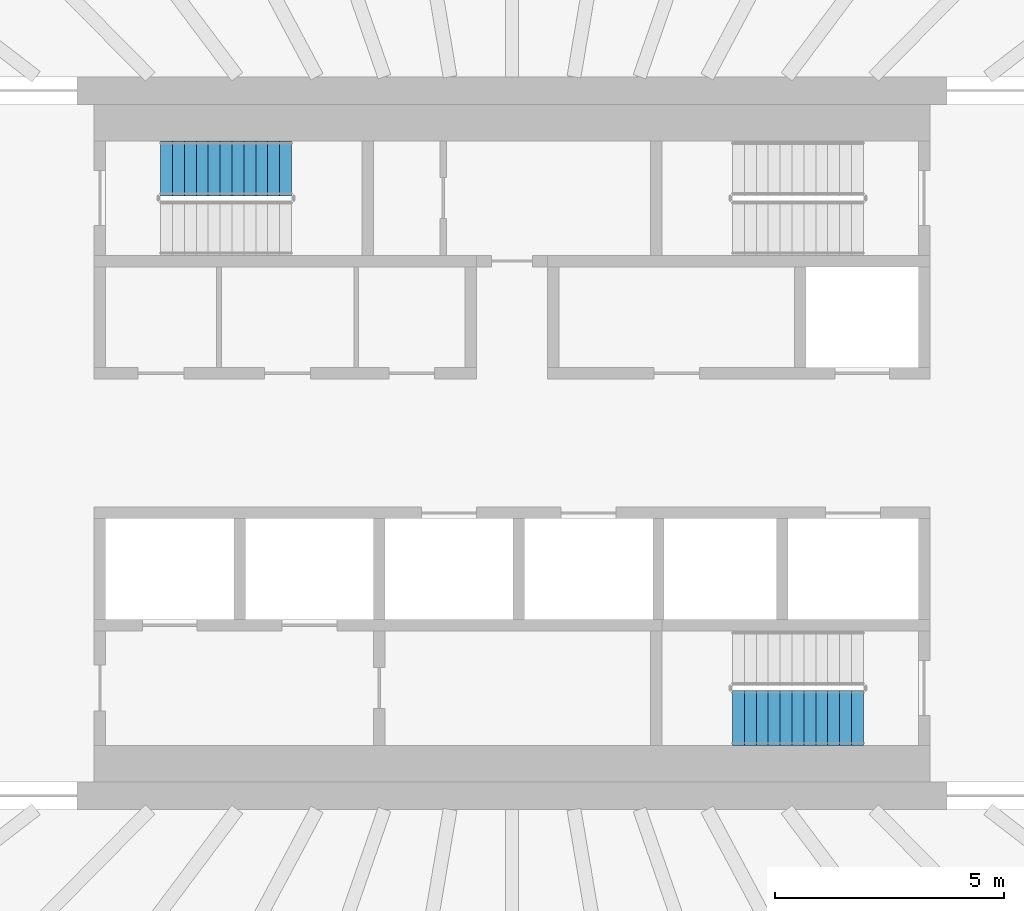
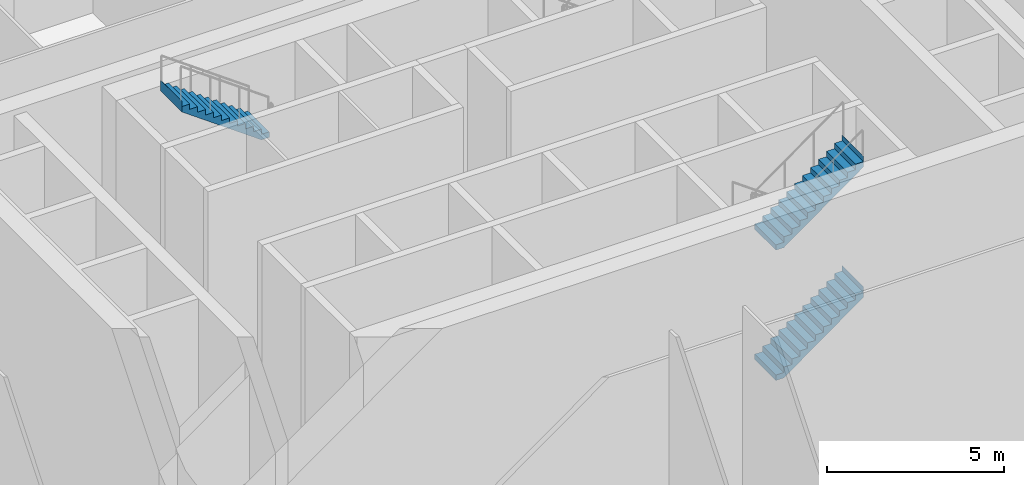
# One storey, part 20 of 35: 3 stair flights, 2 elements without a shape of their own.
"""IFC4 building model written with IfcOpenShell, lengths in metres."""

from ifc_helpers import new_model, si_unit, direction, frame, origin, place, context, subcontext, project, spatial, triangles, material, type_object, element, aggregate, save


model = new_model("IFC4")

# Units and contexts
model_context = context("Model", 3, precision=1e-05, world=origin(), true_north=direction((0.0, 1.0)))
body_context = subcontext(model_context, "Body", "Model", "MODEL_VIEW")
ifc_project = project(units=[si_unit("LENGTHUNIT", "METRE"), si_unit("AREAUNIT", "SQUARE_METRE"), si_unit("VOLUMEUNIT", "CUBIC_METRE"), si_unit("PLANEANGLEUNIT", "RADIAN"), si_unit("MASSUNIT", "GRAM", prefix="KILO")], contexts=[model_context])

# Site, building, storey
site_placement = place(None, origin())
site = spatial("IfcSite", under=ifc_project, at=site_placement, CompositionType="ELEMENT")
building_placement = place(site_placement, origin())
building = spatial("IfcBuilding", under=site, at=building_placement, Name="Sahrelin Media Tower", CompositionType="ELEMENT")
storey_placement = place(building_placement, frame((0.0, 0.0, 17.0)))
storey = spatial("IfcBuildingStorey", under=building, at=storey_placement, Name="L02", CompositionType="ELEMENT", Elevation=17.0)

# Stair, stair flight
ifc_material = material(Name="Concrete C40/50", Category="concrete")
stair_type = type_object("IfcStairType", Name="Exit stair 1200", PredefinedType="HALF_TURN_STAIR", material=ifc_material)
placement = place(storey_placement, origin())
stair_1 = element("IfcStair", 1, at=placement, inside=storey, type_object=stair_type, Name="L02 Exit stair ST1", PredefinedType="HALF_TURN_STAIR")
stair_flight_type = type_object("IfcStairFlightType", Name="Stair flight 1200", PredefinedType="STRAIGHT", material=ifc_material)
stair_flight_1_placement = place(storey_placement, frame((-4.81494140625, 6.0, 6.75), z_axis=(0.0, 0.0, 1.0), x_axis=(-1.0, 0.0, 0.0)))
stair_flight_1 = element("IfcStairFlight", 2, at=stair_flight_1_placement, type_object=stair_flight_type, Name="ST1 flight 4", NumberOfRisers=12, NumberOfTreads=11, PredefinedType="STRAIGHT", RiserHeight=0.1875, TreadLength=0.26, context=body_context, shape_type="Tessellation", body=[
    triangles([(0.25634765625, 0.60009765625, 0.0), (0.25634765625, 0.300048828125, 0.0), (0.25634765625, 0.0, 0.0), (0.25634765625, -0.300048828125, 0.0), (0.25634765625, -0.60009765625, 0.0), (2.860107421875, 0.60009765625, 1.877685546875), (2.860107421875, 0.300048828125, 1.877685546875), (2.860107421875, 0.0, 1.877685546875), (2.860107421875, -0.300048828125, 1.877685546875), (2.860107421875, -0.60009765625, 1.877685546875), (2.860107421875, 0.60009765625, 2.25), (2.860107421875, 0.300048828125, 2.25), (2.860107421875, 0.0, 2.25), (2.860107421875, -0.300048828125, 2.25), (2.860107421875, -0.60009765625, 2.25), (2.85791015625, 0.60009765625, 2.25), (2.85791015625, 0.300048828125, 2.25), (2.85791015625, 0.0, 2.25), (2.85791015625, -0.300048828125, 2.25), (2.85791015625, -0.60009765625, 2.25), (2.85791015625, 0.60009765625, 2.0625), (2.85791015625, 0.300048828125, 2.0625), (2.85791015625, 0.0, 2.0625), (2.85791015625, -0.300048828125, 2.0625), (2.85791015625, -0.60009765625, 2.0625), (2.60009765625, 0.60009765625, 2.0625), (2.60009765625, 0.300048828125, 2.0625), (2.60009765625, 0.0, 2.0625), (2.60009765625, -0.300048828125, 2.0625), (2.60009765625, -0.60009765625, 2.0625), (2.60009765625, 0.60009765625, 1.875), (2.60009765625, 0.300048828125, 1.875), (2.60009765625, 0.0, 1.875), (2.60009765625, -0.300048828125, 1.875), (2.60009765625, -0.60009765625, 1.875), (2.340087890625, 0.60009765625, 1.875), (2.340087890625, 0.300048828125, 1.875), (2.340087890625, 0.0, 1.875), (2.340087890625, -0.300048828125, 1.875), (2.340087890625, -0.60009765625, 1.875), (2.340087890625, 0.60009765625, 1.6875), (2.340087890625, 0.300048828125, 1.6875), (2.340087890625, 0.0, 1.6875), (2.340087890625, -0.300048828125, 1.6875), (2.340087890625, -0.60009765625, 1.6875), (2.080078125, 0.60009765625, 1.6875), (2.080078125, 0.300048828125, 1.6875), (2.080078125, 0.0, 1.6875), (2.080078125, -0.300048828125, 1.6875), (2.080078125, -0.60009765625, 1.6875), (2.080078125, 0.60009765625, 1.5), (2.080078125, 0.300048828125, 1.5), (2.080078125, 0.0, 1.5), (2.080078125, -0.300048828125, 1.5), (2.080078125, -0.60009765625, 1.5), (1.820068359375, 0.60009765625, 1.5), (1.820068359375, 0.300048828125, 1.5), (1.820068359375, 0.0, 1.5), (1.820068359375, -0.300048828125, 1.5), (1.820068359375, -0.60009765625, 1.5), (1.820068359375, 0.60009765625, 1.3125), (1.820068359375, 0.300048828125, 1.3125), (1.820068359375, 0.0, 1.3125), (1.820068359375, -0.300048828125, 1.3125), (1.820068359375, -0.60009765625, 1.3125), (1.56005859375, 0.60009765625, 1.3125), (1.56005859375, 0.300048828125, 1.3125), (1.56005859375, 0.0, 1.3125), (1.56005859375, -0.300048828125, 1.3125), (1.56005859375, -0.60009765625, 1.3125), (1.56005859375, 0.60009765625, 1.125), (1.56005859375, 0.300048828125, 1.125), (1.56005859375, 0.0, 1.125), (1.56005859375, -0.300048828125, 1.125), (1.56005859375, -0.60009765625, 1.125), (1.300048828125, 0.60009765625, 1.125), (1.300048828125, 0.300048828125, 1.125), (1.300048828125, 0.0, 1.125), (1.300048828125, -0.300048828125, 1.125), (1.300048828125, -0.60009765625, 1.125), (1.300048828125, 0.60009765625, 0.9375), (1.300048828125, 0.300048828125, 0.9375), (1.300048828125, 0.0, 0.9375), (1.300048828125, -0.300048828125, 0.9375), (1.300048828125, -0.60009765625, 0.9375), (1.0400390625, 0.60009765625, 0.9375), (1.0400390625, 0.300048828125, 0.9375), (1.0400390625, 0.0, 0.9375), (1.0400390625, -0.300048828125, 0.9375), (1.0400390625, -0.60009765625, 0.9375), (1.0400390625, 0.60009765625, 0.75), (1.0400390625, 0.300048828125, 0.75), (1.0400390625, 0.0, 0.75), (1.0400390625, -0.300048828125, 0.75), (1.0400390625, -0.60009765625, 0.75), (0.780029296875, 0.60009765625, 0.75), (0.780029296875, 0.300048828125, 0.75), (0.780029296875, 0.0, 0.75), (0.780029296875, -0.300048828125, 0.75), (0.780029296875, -0.60009765625, 0.75), (0.780029296875, 0.60009765625, 0.5625), (0.780029296875, 0.300048828125, 0.5625), (0.780029296875, 0.0, 0.5625), (0.780029296875, -0.300048828125, 0.5625), (0.780029296875, -0.60009765625, 0.5625), (0.52001953125, 0.60009765625, 0.5625), (0.52001953125, 0.300048828125, 0.5625), (0.52001953125, 0.0, 0.5625), (0.52001953125, -0.300048828125, 0.5625), (0.52001953125, -0.60009765625, 0.5625), (0.52001953125, 0.60009765625, 0.375), (0.52001953125, 0.300048828125, 0.375), (0.52001953125, 0.0, 0.375), (0.52001953125, -0.300048828125, 0.375), (0.52001953125, -0.60009765625, 0.375), (0.260009765625, 0.60009765625, 0.375), (0.260009765625, 0.300048828125, 0.375), (0.260009765625, 0.0, 0.375), (0.260009765625, -0.300048828125, 0.375), (0.260009765625, -0.60009765625, 0.375), (0.260009765625, 0.60009765625, 0.1875), (0.260009765625, 0.300048828125, 0.1875), (0.260009765625, 0.0, 0.1875), (0.260009765625, -0.300048828125, 0.1875), (0.260009765625, -0.60009765625, 0.1875), (0.0, 0.60009765625, 0.1875), (0.0, 0.300048828125, 0.1875), (0.0, 0.0, 0.1875), (0.0, -0.300048828125, 0.1875), (0.0, -0.60009765625, 0.1875), (0.0, 0.60009765625, 0.0), (0.0, 0.300048828125, 0.0), (0.0, 0.0, 0.0), (0.0, -0.300048828125, 0.0), (0.0, -0.60009765625, 0.0)], [[1, 6, 7], [1, 7, 2], [2, 7, 8], [2, 8, 3], [3, 8, 9], [3, 9, 4], [4, 9, 10], [4, 10, 5], [6, 11, 12], [6, 12, 7], [7, 12, 13], [7, 13, 8], [8, 13, 14], [8, 14, 9], [9, 14, 15], [9, 15, 10], [11, 16, 17], [11, 17, 12], [12, 17, 18], [12, 18, 13], [13, 18, 19], [13, 19, 14], [14, 19, 20], [14, 20, 15], [16, 21, 22], [16, 22, 17], [17, 22, 23], [17, 23, 18], [18, 23, 24], [18, 24, 19], [19, 24, 25], [19, 25, 20], [21, 26, 27], [21, 27, 22], [22, 27, 28], [22, 28, 23], [23, 28, 29], [23, 29, 24], [24, 29, 30], [24, 30, 25], [26, 31, 32], [26, 32, 27], [27, 32, 33], [27, 33, 28], [28, 33, 34], [28, 34, 29], [29, 34, 35], [29, 35, 30], [31, 36, 37], [31, 37, 32], [32, 37, 38], [32, 38, 33], [33, 38, 39], [33, 39, 34], [34, 39, 40], [34, 40, 35], [36, 41, 42], [36, 42, 37], [37, 42, 43], [37, 43, 38], [38, 43, 44], [38, 44, 39], [39, 44, 45], [39, 45, 40], [41, 46, 47], [41, 47, 42], [42, 47, 48], [42, 48, 43], [43, 48, 49], [43, 49, 44], [44, 49, 50], [44, 50, 45], [46, 51, 52], [46, 52, 47], [47, 52, 53], [47, 53, 48], [48, 53, 54], [48, 54, 49], [49, 54, 55], [49, 55, 50], [51, 56, 57], [51, 57, 52], [52, 57, 58], [52, 58, 53], [53, 58, 59], [53, 59, 54], [54, 59, 60], [54, 60, 55], [56, 61, 62], [56, 62, 57], [57, 62, 63], [57, 63, 58], [58, 63, 64], [58, 64, 59], [59, 64, 65], [59, 65, 60], [61, 66, 67], [61, 67, 62], [62, 67, 68], [62, 68, 63], [63, 68, 69], [63, 69, 64], [64, 69, 70], [64, 70, 65], [66, 71, 72], [66, 72, 67], [67, 72, 73], [67, 73, 68], [68, 73, 74], [68, 74, 69], [69, 74, 75], [69, 75, 70], [71, 76, 77], [71, 77, 72], [72, 77, 78], [72, 78, 73], [73, 78, 79], [73, 79, 74], [74, 79, 80], [74, 80, 75], [76, 81, 82], [76, 82, 77], [77, 82, 83], [77, 83, 78], [78, 83, 84], [78, 84, 79], [79, 84, 85], [79, 85, 80], [81, 86, 87], [81, 87, 82], [82, 87, 88], [82, 88, 83], [83, 88, 89], [83, 89, 84], [84, 89, 90], [84, 90, 85], [86, 91, 92], [86, 92, 87], [87, 92, 93], [87, 93, 88], [88, 93, 94], [88, 94, 89], [89, 94, 95], [89, 95, 90], [91, 96, 97], [91, 97, 92], [92, 97, 98], [92, 98, 93], [93, 98, 99], [93, 99, 94], [94, 99, 100], [94, 100, 95], [96, 101, 102], [96, 102, 97], [97, 102, 103], [97, 103, 98], [98, 103, 104], [98, 104, 99], [99, 104, 105], [99, 105, 100], [101, 106, 107], [101, 107, 102], [102, 107, 108], [102, 108, 103], [103, 108, 109], [103, 109, 104], [104, 109, 110], [104, 110, 105], [106, 111, 112], [106, 112, 107], [107, 112, 113], [107, 113, 108], [108, 113, 114], [108, 114, 109], [109, 114, 115], [109, 115, 110], [111, 116, 117], [111, 117, 112], [112, 117, 118], [112, 118, 113], [113, 118, 119], [113, 119, 114], [114, 119, 120], [114, 120, 115], [116, 121, 122], [116, 122, 117], [117, 122, 123], [117, 123, 118], [118, 123, 124], [118, 124, 119], [119, 124, 125], [119, 125, 120], [121, 126, 127], [121, 127, 122], [122, 127, 128], [122, 128, 123], [123, 128, 129], [123, 129, 124], [124, 129, 130], [124, 130, 125], [126, 131, 132], [126, 132, 127], [127, 132, 133], [127, 133, 128], [128, 133, 134], [128, 134, 129], [129, 134, 135], [129, 135, 130], [131, 1, 2], [131, 2, 132], [132, 2, 3], [132, 3, 133], [133, 3, 4], [133, 4, 134], [134, 4, 5], [134, 5, 135], [5, 130, 135], [1, 131, 126], [125, 115, 120], [121, 116, 111], [115, 105, 110], [111, 106, 101], [105, 95, 100], [101, 96, 91], [95, 85, 90], [91, 86, 81], [85, 75, 80], [81, 76, 71], [75, 65, 70], [71, 66, 61], [65, 55, 60], [61, 56, 51], [55, 45, 50], [51, 46, 41], [45, 35, 40], [41, 36, 31], [35, 25, 30], [31, 26, 21], [25, 15, 20], [21, 16, 11], [5, 125, 130], [1, 126, 121], [10, 35, 45], [6, 41, 31], [25, 10, 15], [21, 11, 6], [115, 125, 5], [111, 1, 121], [35, 10, 25], [31, 21, 6], [105, 115, 5], [101, 1, 111], [45, 55, 10], [41, 6, 51], [95, 105, 5], [91, 1, 101], [65, 10, 55], [61, 51, 6], [85, 95, 5], [81, 1, 91], [75, 10, 65], [71, 61, 6], [75, 85, 5], [71, 1, 81], [5, 10, 75], [1, 71, 6]], closed=True),
])
aggregate(stair_1, [stair_flight_1])

# Stair, stair flights
stair_2 = element("IfcStair", 3, at=placement, inside=storey, type_object=stair_type, Name="L02 Exit stair ST2", PredefinedType="HALF_TURN_STAIR")
stair_flight_2_placement = place(storey_placement, frame((4.81494140625, -6.0, 2.25), z_axis=(0.0, 0.0, 1.0), x_axis=(1.0, 0.0, 0.0)))
stair_flight_2 = element("IfcStairFlight", 4, at=stair_flight_2_placement, type_object=stair_flight_type, Name="ST2 flight 2", NumberOfRisers=12, NumberOfTreads=11, PredefinedType="STRAIGHT", RiserHeight=0.1875, TreadLength=0.26, context=body_context, shape_type="Tessellation", body=[
    triangles([(0.25634765625, 0.60009765625, 0.0), (0.25634765625, 0.300048828125, 0.0), (0.25634765625, 0.0, 0.0), (0.25634765625, -0.300048828125, 0.0), (0.25634765625, -0.60009765625, 0.0), (2.860107421875, 0.60009765625, 1.877685546875), (2.860107421875, 0.300048828125, 1.877685546875), (2.860107421875, 0.0, 1.877685546875), (2.860107421875, -0.300048828125, 1.877685546875), (2.860107421875, -0.60009765625, 1.877685546875), (2.860107421875, 0.60009765625, 2.25), (2.860107421875, 0.300048828125, 2.25), (2.860107421875, 0.0, 2.25), (2.860107421875, -0.300048828125, 2.25), (2.860107421875, -0.60009765625, 2.25), (2.85791015625, 0.60009765625, 2.25), (2.85791015625, 0.300048828125, 2.25), (2.85791015625, 0.0, 2.25), (2.85791015625, -0.300048828125, 2.25), (2.85791015625, -0.60009765625, 2.25), (2.85791015625, 0.60009765625, 2.0625), (2.85791015625, 0.300048828125, 2.0625), (2.85791015625, 0.0, 2.0625), (2.85791015625, -0.300048828125, 2.0625), (2.85791015625, -0.60009765625, 2.0625), (2.60009765625, 0.60009765625, 2.0625), (2.60009765625, 0.300048828125, 2.0625), (2.60009765625, 0.0, 2.0625), (2.60009765625, -0.300048828125, 2.0625), (2.60009765625, -0.60009765625, 2.0625), (2.60009765625, 0.60009765625, 1.875), (2.60009765625, 0.300048828125, 1.875), (2.60009765625, 0.0, 1.875), (2.60009765625, -0.300048828125, 1.875), (2.60009765625, -0.60009765625, 1.875), (2.340087890625, 0.60009765625, 1.875), (2.340087890625, 0.300048828125, 1.875), (2.340087890625, 0.0, 1.875), (2.340087890625, -0.300048828125, 1.875), (2.340087890625, -0.60009765625, 1.875), (2.340087890625, 0.60009765625, 1.6875), (2.340087890625, 0.300048828125, 1.6875), (2.340087890625, 0.0, 1.6875), (2.340087890625, -0.300048828125, 1.6875), (2.340087890625, -0.60009765625, 1.6875), (2.080078125, 0.60009765625, 1.6875), (2.080078125, 0.300048828125, 1.6875), (2.080078125, 0.0, 1.6875), (2.080078125, -0.300048828125, 1.6875), (2.080078125, -0.60009765625, 1.6875), (2.080078125, 0.60009765625, 1.5), (2.080078125, 0.300048828125, 1.5), (2.080078125, 0.0, 1.5), (2.080078125, -0.300048828125, 1.5), (2.080078125, -0.60009765625, 1.5), (1.820068359375, 0.60009765625, 1.5), (1.820068359375, 0.300048828125, 1.5), (1.820068359375, 0.0, 1.5), (1.820068359375, -0.300048828125, 1.5), (1.820068359375, -0.60009765625, 1.5), (1.820068359375, 0.60009765625, 1.3125), (1.820068359375, 0.300048828125, 1.3125), (1.820068359375, 0.0, 1.3125), (1.820068359375, -0.300048828125, 1.3125), (1.820068359375, -0.60009765625, 1.3125), (1.56005859375, 0.60009765625, 1.3125), (1.56005859375, 0.300048828125, 1.3125), (1.56005859375, 0.0, 1.3125), (1.56005859375, -0.300048828125, 1.3125), (1.56005859375, -0.60009765625, 1.3125), (1.56005859375, 0.60009765625, 1.125), (1.56005859375, 0.300048828125, 1.125), (1.56005859375, 0.0, 1.125), (1.56005859375, -0.300048828125, 1.125), (1.56005859375, -0.60009765625, 1.125), (1.300048828125, 0.60009765625, 1.125), (1.300048828125, 0.300048828125, 1.125), (1.300048828125, 0.0, 1.125), (1.300048828125, -0.300048828125, 1.125), (1.300048828125, -0.60009765625, 1.125), (1.300048828125, 0.60009765625, 0.9375), (1.300048828125, 0.300048828125, 0.9375), (1.300048828125, 0.0, 0.9375), (1.300048828125, -0.300048828125, 0.9375), (1.300048828125, -0.60009765625, 0.9375), (1.0400390625, 0.60009765625, 0.9375), (1.0400390625, 0.300048828125, 0.9375), (1.0400390625, 0.0, 0.9375), (1.0400390625, -0.300048828125, 0.9375), (1.0400390625, -0.60009765625, 0.9375), (1.0400390625, 0.60009765625, 0.75), (1.0400390625, 0.300048828125, 0.75), (1.0400390625, 0.0, 0.75), (1.0400390625, -0.300048828125, 0.75), (1.0400390625, -0.60009765625, 0.75), (0.780029296875, 0.60009765625, 0.75), (0.780029296875, 0.300048828125, 0.75), (0.780029296875, 0.0, 0.75), (0.780029296875, -0.300048828125, 0.75), (0.780029296875, -0.60009765625, 0.75), (0.780029296875, 0.60009765625, 0.5625), (0.780029296875, 0.300048828125, 0.5625), (0.780029296875, 0.0, 0.5625), (0.780029296875, -0.300048828125, 0.5625), (0.780029296875, -0.60009765625, 0.5625), (0.52001953125, 0.60009765625, 0.5625), (0.52001953125, 0.300048828125, 0.5625), (0.52001953125, 0.0, 0.5625), (0.52001953125, -0.300048828125, 0.5625), (0.52001953125, -0.60009765625, 0.5625), (0.52001953125, 0.60009765625, 0.375), (0.52001953125, 0.300048828125, 0.375), (0.52001953125, 0.0, 0.375), (0.52001953125, -0.300048828125, 0.375), (0.52001953125, -0.60009765625, 0.375), (0.260009765625, 0.60009765625, 0.375), (0.260009765625, 0.300048828125, 0.375), (0.260009765625, 0.0, 0.375), (0.260009765625, -0.300048828125, 0.375), (0.260009765625, -0.60009765625, 0.375), (0.260009765625, 0.60009765625, 0.1875), (0.260009765625, 0.300048828125, 0.1875), (0.260009765625, 0.0, 0.1875), (0.260009765625, -0.300048828125, 0.1875), (0.260009765625, -0.60009765625, 0.1875), (0.0, 0.60009765625, 0.1875), (0.0, 0.300048828125, 0.1875), (0.0, 0.0, 0.1875), (0.0, -0.300048828125, 0.1875), (0.0, -0.60009765625, 0.1875), (0.0, 0.60009765625, 0.0), (0.0, 0.300048828125, 0.0), (0.0, 0.0, 0.0), (0.0, -0.300048828125, 0.0), (0.0, -0.60009765625, 0.0)], [[1, 6, 7], [1, 7, 2], [2, 7, 8], [2, 8, 3], [3, 8, 9], [3, 9, 4], [4, 9, 10], [4, 10, 5], [6, 11, 12], [6, 12, 7], [7, 12, 13], [7, 13, 8], [8, 13, 14], [8, 14, 9], [9, 14, 15], [9, 15, 10], [11, 16, 17], [11, 17, 12], [12, 17, 18], [12, 18, 13], [13, 18, 19], [13, 19, 14], [14, 19, 20], [14, 20, 15], [16, 21, 22], [16, 22, 17], [17, 22, 23], [17, 23, 18], [18, 23, 24], [18, 24, 19], [19, 24, 25], [19, 25, 20], [21, 26, 27], [21, 27, 22], [22, 27, 28], [22, 28, 23], [23, 28, 29], [23, 29, 24], [24, 29, 30], [24, 30, 25], [26, 31, 32], [26, 32, 27], [27, 32, 33], [27, 33, 28], [28, 33, 34], [28, 34, 29], [29, 34, 35], [29, 35, 30], [31, 36, 37], [31, 37, 32], [32, 37, 38], [32, 38, 33], [33, 38, 39], [33, 39, 34], [34, 39, 40], [34, 40, 35], [36, 41, 42], [36, 42, 37], [37, 42, 43], [37, 43, 38], [38, 43, 44], [38, 44, 39], [39, 44, 45], [39, 45, 40], [41, 46, 47], [41, 47, 42], [42, 47, 48], [42, 48, 43], [43, 48, 49], [43, 49, 44], [44, 49, 50], [44, 50, 45], [46, 51, 52], [46, 52, 47], [47, 52, 53], [47, 53, 48], [48, 53, 54], [48, 54, 49], [49, 54, 55], [49, 55, 50], [51, 56, 57], [51, 57, 52], [52, 57, 58], [52, 58, 53], [53, 58, 59], [53, 59, 54], [54, 59, 60], [54, 60, 55], [56, 61, 62], [56, 62, 57], [57, 62, 63], [57, 63, 58], [58, 63, 64], [58, 64, 59], [59, 64, 65], [59, 65, 60], [61, 66, 67], [61, 67, 62], [62, 67, 68], [62, 68, 63], [63, 68, 69], [63, 69, 64], [64, 69, 70], [64, 70, 65], [66, 71, 72], [66, 72, 67], [67, 72, 73], [67, 73, 68], [68, 73, 74], [68, 74, 69], [69, 74, 75], [69, 75, 70], [71, 76, 77], [71, 77, 72], [72, 77, 78], [72, 78, 73], [73, 78, 79], [73, 79, 74], [74, 79, 80], [74, 80, 75], [76, 81, 82], [76, 82, 77], [77, 82, 83], [77, 83, 78], [78, 83, 84], [78, 84, 79], [79, 84, 85], [79, 85, 80], [81, 86, 87], [81, 87, 82], [82, 87, 88], [82, 88, 83], [83, 88, 89], [83, 89, 84], [84, 89, 90], [84, 90, 85], [86, 91, 92], [86, 92, 87], [87, 92, 93], [87, 93, 88], [88, 93, 94], [88, 94, 89], [89, 94, 95], [89, 95, 90], [91, 96, 97], [91, 97, 92], [92, 97, 98], [92, 98, 93], [93, 98, 99], [93, 99, 94], [94, 99, 100], [94, 100, 95], [96, 101, 102], [96, 102, 97], [97, 102, 103], [97, 103, 98], [98, 103, 104], [98, 104, 99], [99, 104, 105], [99, 105, 100], [101, 106, 107], [101, 107, 102], [102, 107, 108], [102, 108, 103], [103, 108, 109], [103, 109, 104], [104, 109, 110], [104, 110, 105], [106, 111, 112], [106, 112, 107], [107, 112, 113], [107, 113, 108], [108, 113, 114], [108, 114, 109], [109, 114, 115], [109, 115, 110], [111, 116, 117], [111, 117, 112], [112, 117, 118], [112, 118, 113], [113, 118, 119], [113, 119, 114], [114, 119, 120], [114, 120, 115], [116, 121, 122], [116, 122, 117], [117, 122, 123], [117, 123, 118], [118, 123, 124], [118, 124, 119], [119, 124, 125], [119, 125, 120], [121, 126, 127], [121, 127, 122], [122, 127, 128], [122, 128, 123], [123, 128, 129], [123, 129, 124], [124, 129, 130], [124, 130, 125], [126, 131, 132], [126, 132, 127], [127, 132, 133], [127, 133, 128], [128, 133, 134], [128, 134, 129], [129, 134, 135], [129, 135, 130], [131, 1, 2], [131, 2, 132], [132, 2, 3], [132, 3, 133], [133, 3, 4], [133, 4, 134], [134, 4, 5], [134, 5, 135], [5, 130, 135], [1, 131, 126], [125, 115, 120], [121, 116, 111], [115, 105, 110], [111, 106, 101], [105, 95, 100], [101, 96, 91], [95, 85, 90], [91, 86, 81], [85, 75, 80], [81, 76, 71], [75, 65, 70], [71, 66, 61], [65, 55, 60], [61, 56, 51], [55, 45, 50], [51, 46, 41], [45, 35, 40], [41, 36, 31], [35, 25, 30], [31, 26, 21], [25, 15, 20], [21, 16, 11], [5, 125, 130], [1, 126, 121], [10, 35, 45], [6, 41, 31], [25, 10, 15], [21, 11, 6], [115, 125, 5], [111, 1, 121], [35, 10, 25], [31, 21, 6], [105, 115, 5], [101, 1, 111], [45, 55, 10], [41, 6, 51], [95, 105, 5], [91, 1, 101], [65, 10, 55], [61, 51, 6], [85, 95, 5], [81, 1, 91], [75, 10, 65], [71, 61, 6], [75, 85, 5], [71, 1, 81], [5, 10, 75], [1, 71, 6]], closed=True),
])
stair_flight_3_placement = place(storey_placement, frame((4.81494140625, -6.0, 6.75), z_axis=(0.0, 0.0, 1.0), x_axis=(1.0, 0.0, 0.0)))
stair_flight_3 = element("IfcStairFlight", 5, at=stair_flight_3_placement, type_object=stair_flight_type, Name="ST2 flight 4", NumberOfRisers=12, NumberOfTreads=11, PredefinedType="STRAIGHT", RiserHeight=0.1875, TreadLength=0.26, context=body_context, shape_type="Tessellation", body=[
    triangles([(0.25634765625, 0.60009765625, 0.0), (0.25634765625, 0.300048828125, 0.0), (0.25634765625, 0.0, 0.0), (0.25634765625, -0.300048828125, 0.0), (0.25634765625, -0.60009765625, 0.0), (2.860107421875, 0.60009765625, 1.877685546875), (2.860107421875, 0.300048828125, 1.877685546875), (2.860107421875, 0.0, 1.877685546875), (2.860107421875, -0.300048828125, 1.877685546875), (2.860107421875, -0.60009765625, 1.877685546875), (2.860107421875, 0.60009765625, 2.25), (2.860107421875, 0.300048828125, 2.25), (2.860107421875, 0.0, 2.25), (2.860107421875, -0.300048828125, 2.25), (2.860107421875, -0.60009765625, 2.25), (2.85791015625, 0.60009765625, 2.25), (2.85791015625, 0.300048828125, 2.25), (2.85791015625, 0.0, 2.25), (2.85791015625, -0.300048828125, 2.25), (2.85791015625, -0.60009765625, 2.25), (2.85791015625, 0.60009765625, 2.0625), (2.85791015625, 0.300048828125, 2.0625), (2.85791015625, 0.0, 2.0625), (2.85791015625, -0.300048828125, 2.0625), (2.85791015625, -0.60009765625, 2.0625), (2.60009765625, 0.60009765625, 2.0625), (2.60009765625, 0.300048828125, 2.0625), (2.60009765625, 0.0, 2.0625), (2.60009765625, -0.300048828125, 2.0625), (2.60009765625, -0.60009765625, 2.0625), (2.60009765625, 0.60009765625, 1.875), (2.60009765625, 0.300048828125, 1.875), (2.60009765625, 0.0, 1.875), (2.60009765625, -0.300048828125, 1.875), (2.60009765625, -0.60009765625, 1.875), (2.340087890625, 0.60009765625, 1.875), (2.340087890625, 0.300048828125, 1.875), (2.340087890625, 0.0, 1.875), (2.340087890625, -0.300048828125, 1.875), (2.340087890625, -0.60009765625, 1.875), (2.340087890625, 0.60009765625, 1.6875), (2.340087890625, 0.300048828125, 1.6875), (2.340087890625, 0.0, 1.6875), (2.340087890625, -0.300048828125, 1.6875), (2.340087890625, -0.60009765625, 1.6875), (2.080078125, 0.60009765625, 1.6875), (2.080078125, 0.300048828125, 1.6875), (2.080078125, 0.0, 1.6875), (2.080078125, -0.300048828125, 1.6875), (2.080078125, -0.60009765625, 1.6875), (2.080078125, 0.60009765625, 1.5), (2.080078125, 0.300048828125, 1.5), (2.080078125, 0.0, 1.5), (2.080078125, -0.300048828125, 1.5), (2.080078125, -0.60009765625, 1.5), (1.820068359375, 0.60009765625, 1.5), (1.820068359375, 0.300048828125, 1.5), (1.820068359375, 0.0, 1.5), (1.820068359375, -0.300048828125, 1.5), (1.820068359375, -0.60009765625, 1.5), (1.820068359375, 0.60009765625, 1.3125), (1.820068359375, 0.300048828125, 1.3125), (1.820068359375, 0.0, 1.3125), (1.820068359375, -0.300048828125, 1.3125), (1.820068359375, -0.60009765625, 1.3125), (1.56005859375, 0.60009765625, 1.3125), (1.56005859375, 0.300048828125, 1.3125), (1.56005859375, 0.0, 1.3125), (1.56005859375, -0.300048828125, 1.3125), (1.56005859375, -0.60009765625, 1.3125), (1.56005859375, 0.60009765625, 1.125), (1.56005859375, 0.300048828125, 1.125), (1.56005859375, 0.0, 1.125), (1.56005859375, -0.300048828125, 1.125), (1.56005859375, -0.60009765625, 1.125), (1.300048828125, 0.60009765625, 1.125), (1.300048828125, 0.300048828125, 1.125), (1.300048828125, 0.0, 1.125), (1.300048828125, -0.300048828125, 1.125), (1.300048828125, -0.60009765625, 1.125), (1.300048828125, 0.60009765625, 0.9375), (1.300048828125, 0.300048828125, 0.9375), (1.300048828125, 0.0, 0.9375), (1.300048828125, -0.300048828125, 0.9375), (1.300048828125, -0.60009765625, 0.9375), (1.0400390625, 0.60009765625, 0.9375), (1.0400390625, 0.300048828125, 0.9375), (1.0400390625, 0.0, 0.9375), (1.0400390625, -0.300048828125, 0.9375), (1.0400390625, -0.60009765625, 0.9375), (1.0400390625, 0.60009765625, 0.75), (1.0400390625, 0.300048828125, 0.75), (1.0400390625, 0.0, 0.75), (1.0400390625, -0.300048828125, 0.75), (1.0400390625, -0.60009765625, 0.75), (0.780029296875, 0.60009765625, 0.75), (0.780029296875, 0.300048828125, 0.75), (0.780029296875, 0.0, 0.75), (0.780029296875, -0.300048828125, 0.75), (0.780029296875, -0.60009765625, 0.75), (0.780029296875, 0.60009765625, 0.5625), (0.780029296875, 0.300048828125, 0.5625), (0.780029296875, 0.0, 0.5625), (0.780029296875, -0.300048828125, 0.5625), (0.780029296875, -0.60009765625, 0.5625), (0.52001953125, 0.60009765625, 0.5625), (0.52001953125, 0.300048828125, 0.5625), (0.52001953125, 0.0, 0.5625), (0.52001953125, -0.300048828125, 0.5625), (0.52001953125, -0.60009765625, 0.5625), (0.52001953125, 0.60009765625, 0.375), (0.52001953125, 0.300048828125, 0.375), (0.52001953125, 0.0, 0.375), (0.52001953125, -0.300048828125, 0.375), (0.52001953125, -0.60009765625, 0.375), (0.260009765625, 0.60009765625, 0.375), (0.260009765625, 0.300048828125, 0.375), (0.260009765625, 0.0, 0.375), (0.260009765625, -0.300048828125, 0.375), (0.260009765625, -0.60009765625, 0.375), (0.260009765625, 0.60009765625, 0.1875), (0.260009765625, 0.300048828125, 0.1875), (0.260009765625, 0.0, 0.1875), (0.260009765625, -0.300048828125, 0.1875), (0.260009765625, -0.60009765625, 0.1875), (0.0, 0.60009765625, 0.1875), (0.0, 0.300048828125, 0.1875), (0.0, 0.0, 0.1875), (0.0, -0.300048828125, 0.1875), (0.0, -0.60009765625, 0.1875), (0.0, 0.60009765625, 0.0), (0.0, 0.300048828125, 0.0), (0.0, 0.0, 0.0), (0.0, -0.300048828125, 0.0), (0.0, -0.60009765625, 0.0)], [[1, 6, 7], [1, 7, 2], [2, 7, 8], [2, 8, 3], [3, 8, 9], [3, 9, 4], [4, 9, 10], [4, 10, 5], [6, 11, 12], [6, 12, 7], [7, 12, 13], [7, 13, 8], [8, 13, 14], [8, 14, 9], [9, 14, 15], [9, 15, 10], [11, 16, 17], [11, 17, 12], [12, 17, 18], [12, 18, 13], [13, 18, 19], [13, 19, 14], [14, 19, 20], [14, 20, 15], [16, 21, 22], [16, 22, 17], [17, 22, 23], [17, 23, 18], [18, 23, 24], [18, 24, 19], [19, 24, 25], [19, 25, 20], [21, 26, 27], [21, 27, 22], [22, 27, 28], [22, 28, 23], [23, 28, 29], [23, 29, 24], [24, 29, 30], [24, 30, 25], [26, 31, 32], [26, 32, 27], [27, 32, 33], [27, 33, 28], [28, 33, 34], [28, 34, 29], [29, 34, 35], [29, 35, 30], [31, 36, 37], [31, 37, 32], [32, 37, 38], [32, 38, 33], [33, 38, 39], [33, 39, 34], [34, 39, 40], [34, 40, 35], [36, 41, 42], [36, 42, 37], [37, 42, 43], [37, 43, 38], [38, 43, 44], [38, 44, 39], [39, 44, 45], [39, 45, 40], [41, 46, 47], [41, 47, 42], [42, 47, 48], [42, 48, 43], [43, 48, 49], [43, 49, 44], [44, 49, 50], [44, 50, 45], [46, 51, 52], [46, 52, 47], [47, 52, 53], [47, 53, 48], [48, 53, 54], [48, 54, 49], [49, 54, 55], [49, 55, 50], [51, 56, 57], [51, 57, 52], [52, 57, 58], [52, 58, 53], [53, 58, 59], [53, 59, 54], [54, 59, 60], [54, 60, 55], [56, 61, 62], [56, 62, 57], [57, 62, 63], [57, 63, 58], [58, 63, 64], [58, 64, 59], [59, 64, 65], [59, 65, 60], [61, 66, 67], [61, 67, 62], [62, 67, 68], [62, 68, 63], [63, 68, 69], [63, 69, 64], [64, 69, 70], [64, 70, 65], [66, 71, 72], [66, 72, 67], [67, 72, 73], [67, 73, 68], [68, 73, 74], [68, 74, 69], [69, 74, 75], [69, 75, 70], [71, 76, 77], [71, 77, 72], [72, 77, 78], [72, 78, 73], [73, 78, 79], [73, 79, 74], [74, 79, 80], [74, 80, 75], [76, 81, 82], [76, 82, 77], [77, 82, 83], [77, 83, 78], [78, 83, 84], [78, 84, 79], [79, 84, 85], [79, 85, 80], [81, 86, 87], [81, 87, 82], [82, 87, 88], [82, 88, 83], [83, 88, 89], [83, 89, 84], [84, 89, 90], [84, 90, 85], [86, 91, 92], [86, 92, 87], [87, 92, 93], [87, 93, 88], [88, 93, 94], [88, 94, 89], [89, 94, 95], [89, 95, 90], [91, 96, 97], [91, 97, 92], [92, 97, 98], [92, 98, 93], [93, 98, 99], [93, 99, 94], [94, 99, 100], [94, 100, 95], [96, 101, 102], [96, 102, 97], [97, 102, 103], [97, 103, 98], [98, 103, 104], [98, 104, 99], [99, 104, 105], [99, 105, 100], [101, 106, 107], [101, 107, 102], [102, 107, 108], [102, 108, 103], [103, 108, 109], [103, 109, 104], [104, 109, 110], [104, 110, 105], [106, 111, 112], [106, 112, 107], [107, 112, 113], [107, 113, 108], [108, 113, 114], [108, 114, 109], [109, 114, 115], [109, 115, 110], [111, 116, 117], [111, 117, 112], [112, 117, 118], [112, 118, 113], [113, 118, 119], [113, 119, 114], [114, 119, 120], [114, 120, 115], [116, 121, 122], [116, 122, 117], [117, 122, 123], [117, 123, 118], [118, 123, 124], [118, 124, 119], [119, 124, 125], [119, 125, 120], [121, 126, 127], [121, 127, 122], [122, 127, 128], [122, 128, 123], [123, 128, 129], [123, 129, 124], [124, 129, 130], [124, 130, 125], [126, 131, 132], [126, 132, 127], [127, 132, 133], [127, 133, 128], [128, 133, 134], [128, 134, 129], [129, 134, 135], [129, 135, 130], [131, 1, 2], [131, 2, 132], [132, 2, 3], [132, 3, 133], [133, 3, 4], [133, 4, 134], [134, 4, 5], [134, 5, 135], [5, 130, 135], [1, 131, 126], [125, 115, 120], [121, 116, 111], [115, 105, 110], [111, 106, 101], [105, 95, 100], [101, 96, 91], [95, 85, 90], [91, 86, 81], [85, 75, 80], [81, 76, 71], [75, 65, 70], [71, 66, 61], [65, 55, 60], [61, 56, 51], [55, 45, 50], [51, 46, 41], [45, 35, 40], [41, 36, 31], [35, 25, 30], [31, 26, 21], [25, 15, 20], [21, 16, 11], [5, 125, 130], [1, 126, 121], [10, 35, 45], [6, 41, 31], [25, 10, 15], [21, 11, 6], [115, 125, 5], [111, 1, 121], [35, 10, 25], [31, 21, 6], [105, 115, 5], [101, 1, 111], [45, 55, 10], [41, 6, 51], [95, 105, 5], [91, 1, 101], [65, 10, 55], [61, 51, 6], [85, 95, 5], [81, 1, 91], [75, 10, 65], [71, 61, 6], [75, 85, 5], [71, 1, 81], [5, 10, 75], [1, 71, 6]], closed=True),
])
aggregate(stair_2, [stair_flight_2, stair_flight_3])

save(model, "model.ifc")
